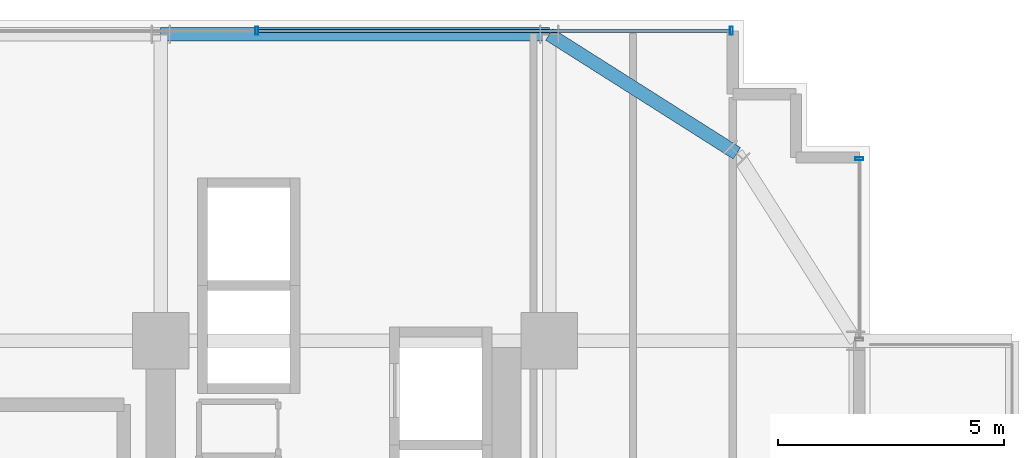
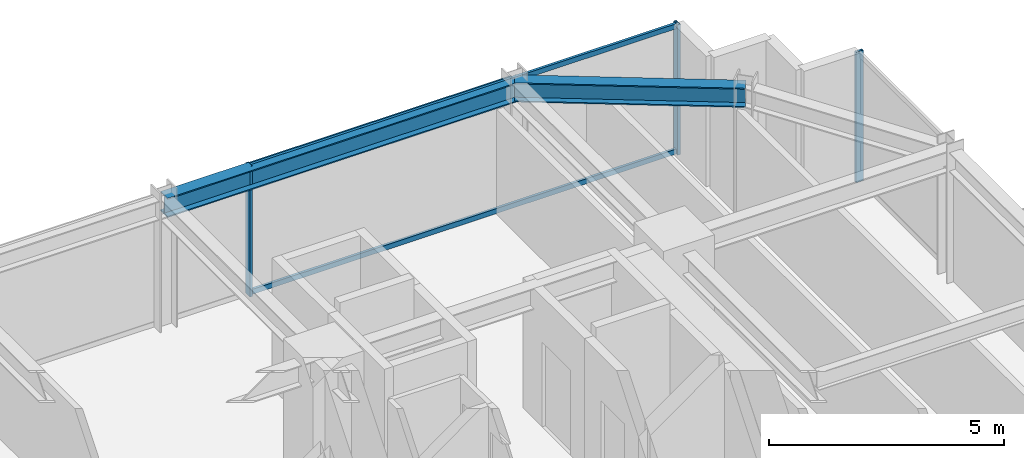
# One storey, part 25 of 33: 5 members, 2 beams, 2 elements without a shape of their own.
"""IFC4 building model written with IfcOpenShell, lengths in metres."""

from ifc_helpers import new_model, si_unit, direction, frame, origin, origin_2d, place, context, subcontext, project, spatial, hollow_rectangle, i_section, extrude, source, transform, mapped, material, material_profile, profile_set, type_object, element, aggregate, save


model = new_model("IFC4")

# Units and contexts
model_context = context("Model", 3, precision=1e-05, world=origin(), true_north=direction((0.0, 1.0)))
body_context = subcontext(model_context, "Body", "Model", "MODEL_VIEW")
ifc_project = project(units=[si_unit("LENGTHUNIT", "METRE"), si_unit("AREAUNIT", "SQUARE_METRE"), si_unit("VOLUMEUNIT", "CUBIC_METRE"), si_unit("PLANEANGLEUNIT", "RADIAN"), si_unit("MASSUNIT", "GRAM", prefix="KILO")], contexts=[model_context])

# Site, building, storey
site_placement = place(None, origin())
site = spatial("IfcSite", under=ifc_project, at=site_placement, CompositionType="ELEMENT")
building_placement = place(site_placement, origin())
building = spatial("IfcBuilding", under=site, at=building_placement, Name="Nahalor Promenade Grand Hotel", CompositionType="ELEMENT")
storey_placement = place(building_placement, frame((0.0, 0.0, 132.10009765625)))
storey = spatial("IfcBuildingStorey", under=building, at=storey_placement, Name="L33", CompositionType="ELEMENT", Elevation=132.10009765625)

# Beams
ifc_material_1 = material(Name="Steel S355JR", Category="steel")
ifc_material_profile_1 = material_profile(ifc_material_1, i_section(OverallWidth=0.3, OverallDepth=0.5, WebThickness=0.0145, FlangeThickness=0.028, at=origin_2d()), Name="HEB 500")
ifc_profile_set_1 = profile_set([ifc_material_profile_1], Name="Steel S355JR")
beam_type = type_object("IfcBeamType", Name="Beam-Spandrel-HEB500", PredefinedType="SPANDREL", material=ifc_profile_set_1)
shared_shape_1 = source(origin(), body_context, "Body", "SweptSolid", [
    extrude(i_section(OverallWidth=0.3, OverallDepth=0.5, WebThickness=0.0145, FlangeThickness=0.028, at=origin_2d()), origin(), (0.0, 0.0, 1.0), 8.60009765625),
])
beam_1_placement = place(storey_placement, frame((8.39990234375, 23.780029296875, 3.1298828125), z_axis=(1.0, 0.0, 0.0), x_axis=(0.0, 1.0, 0.0)))
element("IfcBeam", 1, at=beam_1_placement, inside=storey, type_object=beam_type, Name="BM-L33-SP-N-4", PredefinedType="SPANDREL", context=body_context, shape_type="MappedRepresentation", body=[
    mapped(shared_shape_1, transform((0.0, 0.0, 0.0), scale=1.0)),
])
shared_shape_2 = source(origin(), body_context, "Body", "SweptSolid", [
    extrude(i_section(OverallWidth=0.3, OverallDepth=0.5, WebThickness=0.0145, FlangeThickness=0.028, at=origin_2d()), origin(), (0.0, 0.0, 1.0), 4.9130859375),
])
beam_2_placement = place(storey_placement, frame((17.0, 23.780029296875, 3.1298828125), z_axis=(0.844648325505, -0.535321591403, 0.0), x_axis=(0.535321591403, 0.844648325505, 0.0)))
element("IfcBeam", 2, at=beam_2_placement, inside=storey, type_object=beam_type, Name="BM-L33-SPC-NE-1", PredefinedType="SPANDREL", context=body_context, shape_type="MappedRepresentation", body=[
    mapped(shared_shape_2, transform((0.0, 0.0, 0.0), scale=1.0)),
])

# Curtain wall, members
ifc_material_2 = material(Name="Anodised Bronze Aluminium EN AW-6063 T6", Category="aluminium")
curtain_wall_type = type_object("IfcCurtainWallType", Name="CW2 Typical Hotel Flush Bronze Unitised Curtain Wall", PredefinedType="USERDEFINED", material=ifc_material_2)
curtain_wall_1_placement = place(storey_placement, origin())
curtain_wall_1 = element("IfcCurtainWall", 3, at=curtain_wall_1_placement, inside=storey, type_object=curtain_wall_type, Name="L33 Curtain Wall CW-L33-N-1", ObjectType="UNITISED_CURTAIN_WALL", PredefinedType="USERDEFINED")
ifc_material_profile_2 = material_profile(ifc_material_2, hollow_rectangle(XDim=0.065, YDim=0.18, WallThickness=0.004, at=origin_2d()), Name="CWM 65x180x4")
ifc_profile_set_2 = profile_set([ifc_material_profile_2], Name="Anodised Bronze Aluminium EN AW-6063 T6")
member_type_1 = type_object("IfcMemberType", Name="CWM2 Typical Bronze Mullion 65x180", PredefinedType="MULLION", material=ifc_profile_set_2)
shared_shape_3 = source(origin(), body_context, "Body", "SweptSolid", [
    extrude(hollow_rectangle(XDim=0.065, YDim=0.18, WallThickness=0.004, at=origin_2d()), origin(), (0.0, 0.0, 1.0), 3.3798828125),
])
member_1_placement = place(storey_placement, frame((10.530029296875, 23.860107421875, 0.0), z_axis=(0.0, 0.0, 1.0), x_axis=(1.0, 0.0, 0.0)))
member_1 = element("IfcMember", 4, at=member_1_placement, type_object=member_type_1, Name="CW-L33-N-1 Mullion 3", PredefinedType="MULLION", context=body_context, shape_type="MappedRepresentation", body=[
    mapped(shared_shape_3, transform((0.0, 0.0, 0.0), scale=1.0)),
])
member_2_placement = place(storey_placement, frame((21.027587890625, 23.860107421875, 0.0), z_axis=(0.0, 0.0, 1.0), x_axis=(1.0, 0.0, 0.0)))
member_2 = element("IfcMember", 5, at=member_2_placement, type_object=member_type_1, Name="CW-L33-N-1 Mullion 4", PredefinedType="MULLION", context=body_context, shape_type="MappedRepresentation", body=[
    mapped(shared_shape_3, transform((0.0, 0.0, 0.0), scale=1.0)),
])

# Curtain wall, member
curtain_wall_2_placement = place(storey_placement, origin())
curtain_wall_2 = element("IfcCurtainWall", 6, at=curtain_wall_2_placement, inside=storey, type_object=curtain_wall_type, Name="L33 Curtain Wall CW-L33-E-3", ObjectType="UNITISED_CURTAIN_WALL", PredefinedType="USERDEFINED")
member_3_placement = place(storey_placement, frame((23.860107421875, 21.027587890625, 0.0), z_axis=(0.0, 0.0, 1.0), x_axis=(0.0, 1.0, 0.0)))
member_3 = element("IfcMember", 7, at=member_3_placement, type_object=member_type_1, Name="CW-L33-E-3 Mullion 1", PredefinedType="MULLION", context=body_context, shape_type="MappedRepresentation", body=[
    mapped(shared_shape_3, transform((0.0, 0.0, 0.0), scale=1.0)),
])
aggregate(curtain_wall_2, [member_3])

# Member
ifc_material_profile_3 = material_profile(ifc_material_2, hollow_rectangle(XDim=0.065, YDim=0.13, WallThickness=0.004, at=origin_2d()), Name="CWT 65x130x4")
ifc_profile_set_3 = profile_set([ifc_material_profile_3], Name="Anodised Bronze Aluminium EN AW-6063 T6")
member_type_2 = type_object("IfcMemberType", Name="CWT2 Typical Bronze Transom 65x130", PredefinedType="USERDEFINED", material=ifc_profile_set_3)
shared_shape_4 = source(origin(), body_context, "Body", "SweptSolid", [
    extrude(hollow_rectangle(XDim=0.065, YDim=0.13, WallThickness=0.004, at=origin_2d()), origin(), (0.0, 0.0, 1.0), 10.4326171875),
])
member_4_placement = place(storey_placement, frame((10.5625, 23.860107421875, 0.06494140625), z_axis=(1.0, 0.0, 0.0), x_axis=(0.0, 1.0, 0.0)))
member_4 = element("IfcMember", 8, at=member_4_placement, type_object=member_type_2, Name="CW-L33-N-1 Transom 3-0", ObjectType="TRANSOM", PredefinedType="USERDEFINED", context=body_context, shape_type="MappedRepresentation", body=[
    mapped(shared_shape_4, transform((0.0, 0.0, 0.0), scale=1.0)),
])

member_5_placement = place(storey_placement, frame((10.5625, 23.860107421875, 3.31494140625), z_axis=(1.0, 0.0, 0.0), x_axis=(0.0, 1.0, 0.0)))
member_5 = element("IfcMember", 9, at=member_5_placement, type_object=member_type_2, Name="CW-L33-N-1 Transom 3-1", ObjectType="TRANSOM", PredefinedType="USERDEFINED", context=body_context, shape_type="MappedRepresentation", body=[
    mapped(shared_shape_4, transform((0.0, 0.0, 0.0), scale=1.0)),
])

aggregate(curtain_wall_1, [member_1, member_2, member_4, member_5])

save(model, "model.ifc")
